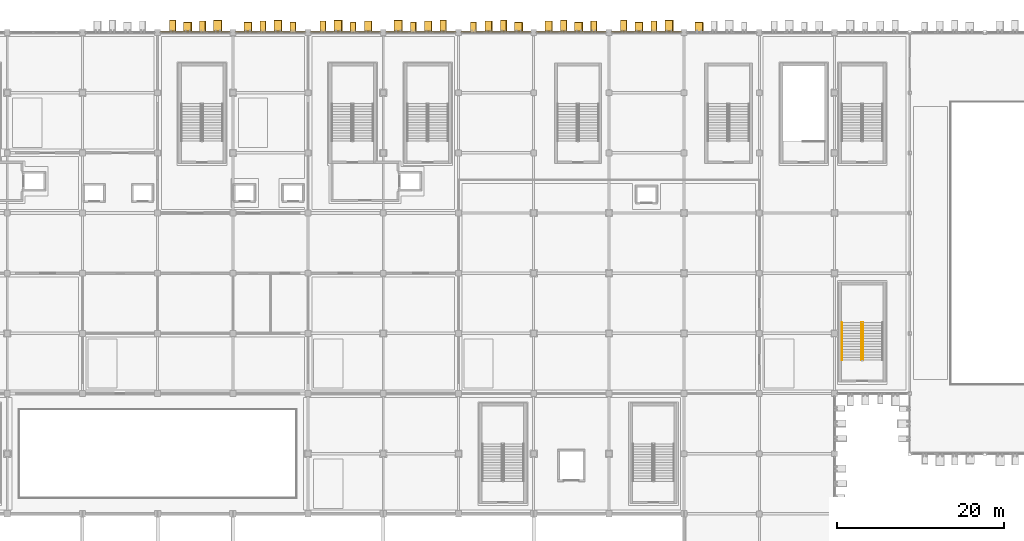
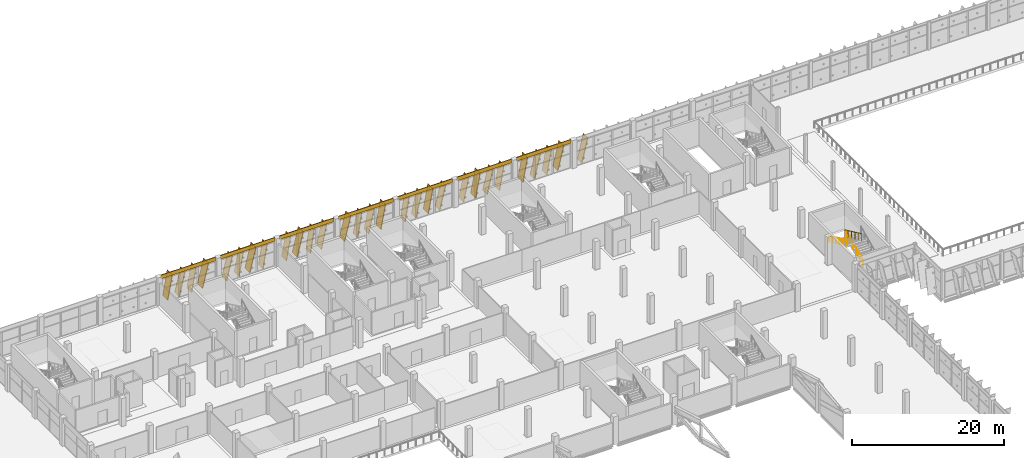
# One storey, part 145 of 151: 36 coverings, 29 shading devices, 3 railings.
"""IFC4 building model written with IfcOpenShell, lengths in metres."""

from ifc_helpers import new_model, si_unit, direction, frame, origin, origin_2d, place, context, subcontext, project, spatial, rectangle, circle, extrude, material, layer, layer_set, material_profile, profile_set, type_object, element, save


model = new_model("IFC4")

# Units and contexts
model_context = context("Model", 3, precision=1e-05, world=origin(), true_north=direction((0.0, 1.0)))
body_context = subcontext(model_context, "Body", "Model", "MODEL_VIEW")
ifc_project = project(units=[si_unit("LENGTHUNIT", "METRE"), si_unit("AREAUNIT", "SQUARE_METRE"), si_unit("VOLUMEUNIT", "CUBIC_METRE"), si_unit("PLANEANGLEUNIT", "RADIAN"), si_unit("MASSUNIT", "GRAM", prefix="KILO")], contexts=[model_context])

# Site, building, storey
site_placement = place(None, origin())
site = spatial("IfcSite", under=ifc_project, at=site_placement, CompositionType="ELEMENT")
building_placement = place(site_placement, origin())
building = spatial("IfcBuilding", under=site, at=building_placement, Name="Celestram Park Convention Centre", CompositionType="ELEMENT")
storey_placement = place(building_placement, frame((0.0, 0.0, 10.800048828125)))
storey = spatial("IfcBuildingStorey", under=building, at=storey_placement, Name="L02", CompositionType="ELEMENT", Elevation=10.800048828125)

# Coverings
ifc_material_1 = material(Name="Anodised Bronze Aluminium Spandrel Cladding", Category="aluminium")
ifc_layer_1 = layer(ifc_material_1, 0.050048828125)
ifc_layer_set_1 = layer_set([ifc_layer_1], Name="Anodised Bronze Aluminium Spandrel Cladding")
covering_type_1 = type_object("IfcCoveringType", Name="ARC-COV-CLD060", PredefinedType="CLADDING", material=ifc_layer_set_1)
for number, where, z_axis, x_axis, name in (
    (1, (67.5, 165.679931640625, 3.9140625), (0.0, 0.0, 1.0), (1.0, 0.0, 0.0), "Bronze spandrel cladding CL-L02-153"),
    (2, (76.5, 165.679931640625, 3.9140625), (0.0, 0.0, 1.0), (1.0, 0.0, 0.0), "Bronze spandrel cladding CL-L02-154"),
    (3, (85.5, 165.679931640625, 3.9140625), (0.0, 0.0, 1.0), (1.0, 0.0, 0.0), "Bronze spandrel cladding CL-L02-155"),
    (4, (94.5, 165.679931640625, 3.9140625), (0.0, 0.0, 1.0), (1.0, 0.0, 0.0), "Bronze spandrel cladding CL-L02-156"),
    (5, (103.5, 165.679931640625, 3.9140625), (0.0, 0.0, 1.0), (1.0, 0.0, 0.0), "Bronze spandrel cladding CL-L02-157"),
    (6, (112.5, 165.679931640625, 3.9140625), (0.0, 0.0, 1.0), (1.0, 0.0, 0.0), "Bronze spandrel cladding CL-L02-158"),
    (7, (121.5, 165.679931640625, 3.9140625), (0.0, 0.0, 1.0), (1.0, 0.0, 0.0), "Bronze spandrel cladding CL-L02-159"),
):
    element("IfcCovering", number, at=place(storey_placement, frame(where, z_axis=z_axis, x_axis=x_axis)), inside=storey, type_object=covering_type_1, Name=name, PredefinedType="CLADDING", context=body_context, shape_type="SweptSolid", body=[
        extrude(rectangle(XDim=8.303955078125, YDim=0.1201171875, at=origin_2d()), origin(), (0.0, 0.0, 1.0), 0.5859375),
    ])
ifc_material_2 = material(Name="Timber-Toned Anodised Aluminium Alloy 6063-T6", Category="wood")
ifc_material_profile_1 = material_profile(ifc_material_2, rectangle(XDim=1.1201171875, YDim=0.090087890625, at=origin_2d()), Name="REED1120X90")
ifc_profile_set_1 = profile_set([ifc_material_profile_1], Name="Timber-Toned Anodised Aluminium Alloy 6063-T6")
covering_type_2 = type_object("IfcCoveringType", Name="ARC-COV-FIN1120", PredefinedType="CLADDING", material=ifc_profile_set_1)
for number, where, z_axis, x_axis, name in (
    (8, (66.14990234375, 166.239990234375, 0.057861328125), (0.231767829396, 0.0, 0.972771130974), (0.0, 1.0, 0.0), "Leaning timber-toned reed fin RFN-L02-0465"),
    (9, (73.349853515625, 166.239990234375, 0.057861328125), (0.231767829396, 0.0, 0.972771130974), (0.0, 1.0, 0.0), "Leaning timber-toned reed fin RFN-L02-0468"),
):
    element("IfcCovering", number, at=place(storey_placement, frame(where, z_axis=z_axis, x_axis=x_axis)), inside=storey, type_object=covering_type_2, Name=name, PredefinedType="CLADDING", context=body_context, shape_type="SweptSolid", body=[
        extrude(rectangle(XDim=1.1201171875, YDim=0.090087890625, at=origin_2d()), origin(), (0.0, 0.0, 1.0), 3.8837890625),
    ])
for number, where, z_axis, x_axis, name in (
    (10, (78.889404296875, 166.239990234375, 0.030029296875), (0.159912242816, 0.0, 0.987131234739), (0.0, 1.0, 0.0), "Leaning timber-toned reed fin RFN-L02-0471"),
    (11, (86.089599609375, 166.239990234375, 0.030029296875), (0.159850990721, 0.0, 0.987141155441), (0.0, 1.0, 0.0), "Leaning timber-toned reed fin RFN-L02-0474"),
    (12, (93.28955078125, 166.239990234375, 0.030029296875), (0.159850990721, 0.0, 0.987141155441), (0.0, 1.0, 0.0), "Leaning timber-toned reed fin RFN-L02-0477"),
    (13, (100.489501953125, 166.239990234375, 0.030029296875), (0.159912242816, 0.0, 0.987131234739), (0.0, 1.0, 0.0), "Leaning timber-toned reed fin RFN-L02-0480"),
):
    element("IfcCovering", number, at=place(storey_placement, frame(where, z_axis=z_axis, x_axis=x_axis)), inside=storey, type_object=covering_type_2, Name=name, PredefinedType="CLADDING", context=body_context, shape_type="SweptSolid", body=[
        extrude(rectangle(XDim=1.1201171875, YDim=0.090087890625, at=origin_2d()), origin(), (0.0, 0.0, 1.0), 3.884033203125),
    ])
for number, where, z_axis, x_axis, name in (
    (14, (105.75, 166.239990234375, 0.057861328125), (0.231767829396, 0.0, 0.972771130974), (0.0, 1.0, 0.0), "Leaning timber-toned reed fin RFN-L02-0483"),
    (15, (112.949951171875, 166.239990234375, 0.057861328125), (0.231767829396, 0.0, 0.972771130974), (0.0, 1.0, 0.0), "Leaning timber-toned reed fin RFN-L02-0486"),
    (16, (120.14990234375, 166.239990234375, 0.057861328125), (0.231767829396, 0.0, 0.972771130974), (0.0, 1.0, 0.0), "Leaning timber-toned reed fin RFN-L02-0489"),
    (17, (127.349853515625, 166.239990234375, 0.057861328125), (0.231767829396, 0.0, 0.972771130974), (0.0, 1.0, 0.0), "Leaning timber-toned reed fin RFN-L02-0492"),
):
    element("IfcCovering", number, at=place(storey_placement, frame(where, z_axis=z_axis, x_axis=x_axis)), inside=storey, type_object=covering_type_2, Name=name, PredefinedType="CLADDING", context=body_context, shape_type="SweptSolid", body=[
        extrude(rectangle(XDim=1.1201171875, YDim=0.090087890625, at=origin_2d()), origin(), (0.0, 0.0, 1.0), 3.8837890625),
    ])
ifc_material_profile_2 = material_profile(ifc_material_2, rectangle(XDim=1.280029296875, YDim=0.090087890625, at=origin_2d()), Name="REED1280X90")
ifc_profile_set_2 = profile_set([ifc_material_profile_2], Name="Timber-Toned Anodised Aluminium Alloy 6063-T6")
covering_type_3 = type_object("IfcCoveringType", Name="ARC-COV-FIN1280", PredefinedType="CLADDING", material=ifc_profile_set_2)
for number, where, z_axis, x_axis, name in (
    (18, (68.069580078125, 166.320068359375, 0.033203125), (0.170155292653, 0.0, 0.985417260039), (0.0, 1.0, 0.0), "Leaning timber-toned reed fin RFN-L02-0466"),
    (19, (75.26953125, 166.320068359375, 0.033203125), (0.170155292653, 0.0, 0.985417260039), (0.0, 1.0, 0.0), "Leaning timber-toned reed fin RFN-L02-0469"),
    (20, (82.469482421875, 166.320068359375, 0.033203125), (0.170216329286, 0.0, 0.985406718693), (0.0, 1.0, 0.0), "Leaning timber-toned reed fin RFN-L02-0472"),
    (21, (87.79296875, 166.320068359375, 0.048095703125), (0.209623524504, 0.0, 0.97778217307), (0.0, 1.0, 0.0), "Leaning timber-toned reed fin RFN-L02-0475"),
    (22, (94.992919921875, 166.320068359375, 0.048095703125), (0.209623524504, 0.0, 0.97778217307), (0.0, 1.0, 0.0), "Leaning timber-toned reed fin RFN-L02-0478"),
    (23, (102.19287109375, 166.320068359375, 0.048095703125), (0.209623524504, 0.0, 0.97778217307), (0.0, 1.0, 0.0), "Leaning timber-toned reed fin RFN-L02-0481"),
    (24, (109.392822265625, 166.320068359375, 0.048095703125), (0.209623524504, 0.0, 0.97778217307), (0.0, 1.0, 0.0), "Leaning timber-toned reed fin RFN-L02-0484"),
    (25, (114.869384765625, 166.320068359375, 0.033203125), (0.170216329286, 0.0, 0.985406718693), (0.0, 1.0, 0.0), "Leaning timber-toned reed fin RFN-L02-0487"),
    (26, (122.069580078125, 166.320068359375, 0.033203125), (0.170155292653, 0.0, 0.985417260039), (0.0, 1.0, 0.0), "Leaning timber-toned reed fin RFN-L02-0490"),
):
    element("IfcCovering", number, at=place(storey_placement, frame(where, z_axis=z_axis, x_axis=x_axis)), inside=storey, type_object=covering_type_3, Name=name, PredefinedType="CLADDING", context=body_context, shape_type="SweptSolid", body=[
        extrude(rectangle(XDim=1.280029296875, YDim=0.090087890625, at=origin_2d()), origin(), (0.0, 0.0, 1.0), 3.884033203125),
    ])
ifc_material_profile_3 = material_profile(ifc_material_2, rectangle(XDim=1.419921875, YDim=0.090087890625, at=origin_2d()), Name="REED1420X90")
ifc_profile_set_3 = profile_set([ifc_material_profile_3], Name="Timber-Toned Anodised Aluminium Alloy 6063-T6")
covering_type_4 = type_object("IfcCoveringType", Name="ARC-COV-FIN1420", PredefinedType="CLADDING", material=ifc_profile_set_3)
for number, where, z_axis, x_axis, name in (
    (27, (64.449462890625, 166.389892578125, 0.036865234375), (0.180533625065, 0.0, 0.98356881316), (0.0, 1.0, 0.0), "Leaning timber-toned reed fin RFN-L02-0464"),
    (28, (69.73681640625, 166.389892578125, 0.06103515625), (0.238495612815, 0.0, 0.971143574693), (0.0, 1.0, 0.0), "Leaning timber-toned reed fin RFN-L02-0467"),
    (29, (76.936767578125, 166.389892578125, 0.06103515625), (0.238554897182, 0.0, 0.971129013587), (0.0, 1.0, 0.0), "Leaning timber-toned reed fin RFN-L02-0470"),
    (30, (84.13671875, 166.389892578125, 0.06103515625), (0.238554897182, 0.0, 0.971129013587), (0.0, 1.0, 0.0), "Leaning timber-toned reed fin RFN-L02-0473"),
    (31, (91.3369140625, 166.389892578125, 0.06103515625), (0.238495612815, 0.0, 0.971143574693), (0.0, 1.0, 0.0), "Leaning timber-toned reed fin RFN-L02-0476"),
    (32, (96.849365234375, 166.389892578125, 0.036865234375), (0.180533625065, 0.0, 0.98356881316), (0.0, 1.0, 0.0), "Leaning timber-toned reed fin RFN-L02-0479"),
    (33, (104.04931640625, 166.389892578125, 0.036865234375), (0.180533625065, 0.0, 0.98356881316), (0.0, 1.0, 0.0), "Leaning timber-toned reed fin RFN-L02-0482"),
    (34, (111.24951171875, 166.389892578125, 0.036865234375), (0.180533625065, 0.0, 0.98356881316), (0.0, 1.0, 0.0), "Leaning timber-toned reed fin RFN-L02-0485"),
    (35, (118.449462890625, 166.389892578125, 0.036865234375), (0.180533625065, 0.0, 0.98356881316), (0.0, 1.0, 0.0), "Leaning timber-toned reed fin RFN-L02-0488"),
    (36, (123.73681640625, 166.389892578125, 0.06103515625), (0.238495612815, 0.0, 0.971143574693), (0.0, 1.0, 0.0), "Leaning timber-toned reed fin RFN-L02-0491"),
):
    element("IfcCovering", number, at=place(storey_placement, frame(where, z_axis=z_axis, x_axis=x_axis)), inside=storey, type_object=covering_type_4, Name=name, PredefinedType="CLADDING", context=body_context, shape_type="SweptSolid", body=[
        extrude(rectangle(XDim=1.419921875, YDim=0.090087890625, at=origin_2d()), origin(), (0.0, 0.0, 1.0), 3.8837890625),
    ])

# Shading devices
ifc_material_3 = material(Name="Anodised Bronze Aluminium Alloy 6063-T6", Category="aluminium")
ifc_material_profile_4 = material_profile(ifc_material_3, rectangle(XDim=1.280029296875, YDim=0.080078125, at=origin_2d()), Name="FIN1280X80")
ifc_profile_set_4 = profile_set([ifc_material_profile_4], Name="Anodised Bronze Aluminium Alloy 6063-T6")
shading_device_type = type_object("IfcShadingDeviceType", Name="ARC-FIN-BZ1280", PredefinedType="USERDEFINED", material=ifc_profile_set_4)
for number, where, z_axis, x_axis, name in (
    (37, (64.449462890625, 166.389892578125, 0.036865234375), (0.180533625065, 0.0, 0.98356881316), (0.0, 1.0, 0.0), "Expressive solar fin FN-L02-0464"),
    (38, (66.14990234375, 166.239990234375, 0.057861328125), (0.231767829396, 0.0, 0.972771130974), (0.0, 1.0, 0.0), "Expressive solar fin FN-L02-0465"),
):
    element("IfcShadingDevice", number, at=place(storey_placement, frame(where, z_axis=z_axis, x_axis=x_axis)), inside=storey, type_object=shading_device_type, Name=name, ObjectType="SOLAR_FIN", PredefinedType="USERDEFINED", context=body_context, shape_type="SweptSolid", body=[
        extrude(rectangle(XDim=1.280029296875, YDim=0.080078125, at=origin_2d()), origin(), (0.0, 0.0, 1.0), 3.8837890625),
    ])
shading_device_1_placement = place(storey_placement, frame((68.069580078125, 166.320068359375, 0.033203125), z_axis=(0.170155292653, 0.0, 0.985417260039), x_axis=(0.0, 1.0, 0.0)))
element("IfcShadingDevice", 39, at=shading_device_1_placement, inside=storey, type_object=shading_device_type, Name="Expressive solar fin FN-L02-0466", ObjectType="SOLAR_FIN", PredefinedType="USERDEFINED", context=body_context, shape_type="SweptSolid", body=[
    extrude(rectangle(XDim=1.280029296875, YDim=0.080078125, at=origin_2d()), origin(), (0.0, 0.0, 1.0), 3.884033203125),
])
for number, where, z_axis, x_axis, name in (
    (40, (69.73681640625, 166.389892578125, 0.06103515625), (0.238495612815, 0.0, 0.971143574693), (0.0, 1.0, 0.0), "Expressive solar fin FN-L02-0467"),
    (41, (73.349853515625, 166.239990234375, 0.057861328125), (0.231767829396, 0.0, 0.972771130974), (0.0, 1.0, 0.0), "Expressive solar fin FN-L02-0468"),
):
    element("IfcShadingDevice", number, at=place(storey_placement, frame(where, z_axis=z_axis, x_axis=x_axis)), inside=storey, type_object=shading_device_type, Name=name, ObjectType="SOLAR_FIN", PredefinedType="USERDEFINED", context=body_context, shape_type="SweptSolid", body=[
        extrude(rectangle(XDim=1.280029296875, YDim=0.080078125, at=origin_2d()), origin(), (0.0, 0.0, 1.0), 3.8837890625),
    ])
shading_device_2_placement = place(storey_placement, frame((75.26953125, 166.320068359375, 0.033203125), z_axis=(0.170155292653, 0.0, 0.985417260039), x_axis=(0.0, 1.0, 0.0)))
element("IfcShadingDevice", 42, at=shading_device_2_placement, inside=storey, type_object=shading_device_type, Name="Expressive solar fin FN-L02-0469", ObjectType="SOLAR_FIN", PredefinedType="USERDEFINED", context=body_context, shape_type="SweptSolid", body=[
    extrude(rectangle(XDim=1.280029296875, YDim=0.080078125, at=origin_2d()), origin(), (0.0, 0.0, 1.0), 3.884033203125),
])
shading_device_3_placement = place(storey_placement, frame((76.936767578125, 166.389892578125, 0.06103515625), z_axis=(0.238554897182, 0.0, 0.971129013587), x_axis=(0.0, 1.0, 0.0)))
element("IfcShadingDevice", 43, at=shading_device_3_placement, inside=storey, type_object=shading_device_type, Name="Expressive solar fin FN-L02-0470", ObjectType="SOLAR_FIN", PredefinedType="USERDEFINED", context=body_context, shape_type="SweptSolid", body=[
    extrude(rectangle(XDim=1.280029296875, YDim=0.080078125, at=origin_2d()), origin(), (0.0, 0.0, 1.0), 3.8837890625),
])
for number, where, z_axis, x_axis, name in (
    (44, (78.889404296875, 166.239990234375, 0.030029296875), (0.159912242816, 0.0, 0.987131234739), (0.0, 1.0, 0.0), "Expressive solar fin FN-L02-0471"),
    (45, (82.469482421875, 166.320068359375, 0.033203125), (0.170216329286, 0.0, 0.985406718693), (0.0, 1.0, 0.0), "Expressive solar fin FN-L02-0472"),
):
    element("IfcShadingDevice", number, at=place(storey_placement, frame(where, z_axis=z_axis, x_axis=x_axis)), inside=storey, type_object=shading_device_type, Name=name, ObjectType="SOLAR_FIN", PredefinedType="USERDEFINED", context=body_context, shape_type="SweptSolid", body=[
        extrude(rectangle(XDim=1.280029296875, YDim=0.080078125, at=origin_2d()), origin(), (0.0, 0.0, 1.0), 3.884033203125),
    ])
shading_device_4_placement = place(storey_placement, frame((84.13671875, 166.389892578125, 0.06103515625), z_axis=(0.238554897182, 0.0, 0.971129013587), x_axis=(0.0, 1.0, 0.0)))
element("IfcShadingDevice", 46, at=shading_device_4_placement, inside=storey, type_object=shading_device_type, Name="Expressive solar fin FN-L02-0473", ObjectType="SOLAR_FIN", PredefinedType="USERDEFINED", context=body_context, shape_type="SweptSolid", body=[
    extrude(rectangle(XDim=1.280029296875, YDim=0.080078125, at=origin_2d()), origin(), (0.0, 0.0, 1.0), 3.8837890625),
])
for number, where, z_axis, x_axis, name in (
    (47, (86.089599609375, 166.239990234375, 0.030029296875), (0.159850990721, 0.0, 0.987141155441), (0.0, 1.0, 0.0), "Expressive solar fin FN-L02-0474"),
    (48, (87.79296875, 166.320068359375, 0.048095703125), (0.209623524504, 0.0, 0.97778217307), (0.0, 1.0, 0.0), "Expressive solar fin FN-L02-0475"),
):
    element("IfcShadingDevice", number, at=place(storey_placement, frame(where, z_axis=z_axis, x_axis=x_axis)), inside=storey, type_object=shading_device_type, Name=name, ObjectType="SOLAR_FIN", PredefinedType="USERDEFINED", context=body_context, shape_type="SweptSolid", body=[
        extrude(rectangle(XDim=1.280029296875, YDim=0.080078125, at=origin_2d()), origin(), (0.0, 0.0, 1.0), 3.884033203125),
    ])
shading_device_5_placement = place(storey_placement, frame((91.3369140625, 166.389892578125, 0.06103515625), z_axis=(0.238495612815, 0.0, 0.971143574693), x_axis=(0.0, 1.0, 0.0)))
element("IfcShadingDevice", 49, at=shading_device_5_placement, inside=storey, type_object=shading_device_type, Name="Expressive solar fin FN-L02-0476", ObjectType="SOLAR_FIN", PredefinedType="USERDEFINED", context=body_context, shape_type="SweptSolid", body=[
    extrude(rectangle(XDim=1.280029296875, YDim=0.080078125, at=origin_2d()), origin(), (0.0, 0.0, 1.0), 3.8837890625),
])
for number, where, z_axis, x_axis, name in (
    (50, (93.28955078125, 166.239990234375, 0.030029296875), (0.159850990721, 0.0, 0.987141155441), (0.0, 1.0, 0.0), "Expressive solar fin FN-L02-0477"),
    (51, (94.992919921875, 166.320068359375, 0.048095703125), (0.209623524504, 0.0, 0.97778217307), (0.0, 1.0, 0.0), "Expressive solar fin FN-L02-0478"),
):
    element("IfcShadingDevice", number, at=place(storey_placement, frame(where, z_axis=z_axis, x_axis=x_axis)), inside=storey, type_object=shading_device_type, Name=name, ObjectType="SOLAR_FIN", PredefinedType="USERDEFINED", context=body_context, shape_type="SweptSolid", body=[
        extrude(rectangle(XDim=1.280029296875, YDim=0.080078125, at=origin_2d()), origin(), (0.0, 0.0, 1.0), 3.884033203125),
    ])
shading_device_6_placement = place(storey_placement, frame((96.849365234375, 166.389892578125, 0.036865234375), z_axis=(0.180533625065, 0.0, 0.98356881316), x_axis=(0.0, 1.0, 0.0)))
element("IfcShadingDevice", 52, at=shading_device_6_placement, inside=storey, type_object=shading_device_type, Name="Expressive solar fin FN-L02-0479", ObjectType="SOLAR_FIN", PredefinedType="USERDEFINED", context=body_context, shape_type="SweptSolid", body=[
    extrude(rectangle(XDim=1.280029296875, YDim=0.080078125, at=origin_2d()), origin(), (0.0, 0.0, 1.0), 3.8837890625),
])
for number, where, z_axis, x_axis, name in (
    (53, (100.489501953125, 166.239990234375, 0.030029296875), (0.159912242816, 0.0, 0.987131234739), (0.0, 1.0, 0.0), "Expressive solar fin FN-L02-0480"),
    (54, (102.19287109375, 166.320068359375, 0.048095703125), (0.209623524504, 0.0, 0.97778217307), (0.0, 1.0, 0.0), "Expressive solar fin FN-L02-0481"),
):
    element("IfcShadingDevice", number, at=place(storey_placement, frame(where, z_axis=z_axis, x_axis=x_axis)), inside=storey, type_object=shading_device_type, Name=name, ObjectType="SOLAR_FIN", PredefinedType="USERDEFINED", context=body_context, shape_type="SweptSolid", body=[
        extrude(rectangle(XDim=1.280029296875, YDim=0.080078125, at=origin_2d()), origin(), (0.0, 0.0, 1.0), 3.884033203125),
    ])
for number, where, z_axis, x_axis, name in (
    (55, (104.04931640625, 166.389892578125, 0.036865234375), (0.180533625065, 0.0, 0.98356881316), (0.0, 1.0, 0.0), "Expressive solar fin FN-L02-0482"),
    (56, (105.75, 166.239990234375, 0.057861328125), (0.231767829396, 0.0, 0.972771130974), (0.0, 1.0, 0.0), "Expressive solar fin FN-L02-0483"),
):
    element("IfcShadingDevice", number, at=place(storey_placement, frame(where, z_axis=z_axis, x_axis=x_axis)), inside=storey, type_object=shading_device_type, Name=name, ObjectType="SOLAR_FIN", PredefinedType="USERDEFINED", context=body_context, shape_type="SweptSolid", body=[
        extrude(rectangle(XDim=1.280029296875, YDim=0.080078125, at=origin_2d()), origin(), (0.0, 0.0, 1.0), 3.8837890625),
    ])
shading_device_7_placement = place(storey_placement, frame((109.392822265625, 166.320068359375, 0.048095703125), z_axis=(0.209623524504, 0.0, 0.97778217307), x_axis=(0.0, 1.0, 0.0)))
element("IfcShadingDevice", 57, at=shading_device_7_placement, inside=storey, type_object=shading_device_type, Name="Expressive solar fin FN-L02-0484", ObjectType="SOLAR_FIN", PredefinedType="USERDEFINED", context=body_context, shape_type="SweptSolid", body=[
    extrude(rectangle(XDim=1.280029296875, YDim=0.080078125, at=origin_2d()), origin(), (0.0, 0.0, 1.0), 3.884033203125),
])
for number, where, z_axis, x_axis, name in (
    (58, (111.24951171875, 166.389892578125, 0.036865234375), (0.180533625065, 0.0, 0.98356881316), (0.0, 1.0, 0.0), "Expressive solar fin FN-L02-0485"),
    (59, (112.949951171875, 166.239990234375, 0.057861328125), (0.231767829396, 0.0, 0.972771130974), (0.0, 1.0, 0.0), "Expressive solar fin FN-L02-0486"),
):
    element("IfcShadingDevice", number, at=place(storey_placement, frame(where, z_axis=z_axis, x_axis=x_axis)), inside=storey, type_object=shading_device_type, Name=name, ObjectType="SOLAR_FIN", PredefinedType="USERDEFINED", context=body_context, shape_type="SweptSolid", body=[
        extrude(rectangle(XDim=1.280029296875, YDim=0.080078125, at=origin_2d()), origin(), (0.0, 0.0, 1.0), 3.8837890625),
    ])
shading_device_8_placement = place(storey_placement, frame((114.869384765625, 166.320068359375, 0.033203125), z_axis=(0.170216329286, 0.0, 0.985406718693), x_axis=(0.0, 1.0, 0.0)))
element("IfcShadingDevice", 60, at=shading_device_8_placement, inside=storey, type_object=shading_device_type, Name="Expressive solar fin FN-L02-0487", ObjectType="SOLAR_FIN", PredefinedType="USERDEFINED", context=body_context, shape_type="SweptSolid", body=[
    extrude(rectangle(XDim=1.280029296875, YDim=0.080078125, at=origin_2d()), origin(), (0.0, 0.0, 1.0), 3.884033203125),
])
for number, where, z_axis, x_axis, name in (
    (61, (118.449462890625, 166.389892578125, 0.036865234375), (0.180533625065, 0.0, 0.98356881316), (0.0, 1.0, 0.0), "Expressive solar fin FN-L02-0488"),
    (62, (120.14990234375, 166.239990234375, 0.057861328125), (0.231767829396, 0.0, 0.972771130974), (0.0, 1.0, 0.0), "Expressive solar fin FN-L02-0489"),
):
    element("IfcShadingDevice", number, at=place(storey_placement, frame(where, z_axis=z_axis, x_axis=x_axis)), inside=storey, type_object=shading_device_type, Name=name, ObjectType="SOLAR_FIN", PredefinedType="USERDEFINED", context=body_context, shape_type="SweptSolid", body=[
        extrude(rectangle(XDim=1.280029296875, YDim=0.080078125, at=origin_2d()), origin(), (0.0, 0.0, 1.0), 3.8837890625),
    ])
shading_device_9_placement = place(storey_placement, frame((122.069580078125, 166.320068359375, 0.033203125), z_axis=(0.170155292653, 0.0, 0.985417260039), x_axis=(0.0, 1.0, 0.0)))
element("IfcShadingDevice", 63, at=shading_device_9_placement, inside=storey, type_object=shading_device_type, Name="Expressive solar fin FN-L02-0490", ObjectType="SOLAR_FIN", PredefinedType="USERDEFINED", context=body_context, shape_type="SweptSolid", body=[
    extrude(rectangle(XDim=1.280029296875, YDim=0.080078125, at=origin_2d()), origin(), (0.0, 0.0, 1.0), 3.884033203125),
])
for number, where, z_axis, x_axis, name in (
    (64, (123.73681640625, 166.389892578125, 0.06103515625), (0.238495612815, 0.0, 0.971143574693), (0.0, 1.0, 0.0), "Expressive solar fin FN-L02-0491"),
    (65, (127.349853515625, 166.239990234375, 0.057861328125), (0.231767829396, 0.0, 0.972771130974), (0.0, 1.0, 0.0), "Expressive solar fin FN-L02-0492"),
):
    element("IfcShadingDevice", number, at=place(storey_placement, frame(where, z_axis=z_axis, x_axis=x_axis)), inside=storey, type_object=shading_device_type, Name=name, ObjectType="SOLAR_FIN", PredefinedType="USERDEFINED", context=body_context, shape_type="SweptSolid", body=[
        extrude(rectangle(XDim=1.280029296875, YDim=0.080078125, at=origin_2d()), origin(), (0.0, 0.0, 1.0), 3.8837890625),
    ])

# Railings
ifc_material_4 = material(Name="Stainless Steel AISI 316L & Laminated Glass", Category="steel")
ifc_layer_2 = layer(ifc_material_4, 0.06005859375)
ifc_layer_set_2 = layer_set([ifc_layer_2], Name="Stainless Steel AISI 316L & Laminated Glass")
railing_type_1 = type_object("IfcRailingType", Name="ARC-RL-GRD1120", PredefinedType="GUARDRAIL", material=ifc_layer_set_2)
railing_1_placement = place(storey_placement, frame((147.43603515625, 126.39990234375, 0.14990234375)))
element("IfcRailing", 66, at=railing_1_placement, inside=storey, type_object=railing_type_1, Name="L02 ST-10 stair guard 1", PredefinedType="GUARDRAIL", context=body_context, shape_type="SweptSolid", body=[
    extrude(circle(Radius=0.02392578125, at=origin_2d()), frame((0.0, 0.0, 1.09619140625), z_axis=(0.0, 0.905450639465, 0.424451574969), x_axis=(-1.0, 0.0, 0.0)), (0.0, 0.0, 1.0), 4.94775390625),
    extrude(circle(Radius=0.02099609375, at=origin_2d()), origin(), (0.0, 0.0, 1.0), 1.072021484375),
    extrude(circle(Radius=0.02099609375, at=origin_2d()), frame((0.0, 0.89599609375, 0.419921875)), (0.0, 0.0, 1.0), 1.072021484375),
    extrude(circle(Radius=0.02099609375, at=origin_2d()), frame((0.0, 1.7919921875, 0.840087890625)), (0.0, 0.0, 1.0), 1.072021484375),
    extrude(circle(Radius=0.02099609375, at=origin_2d()), frame((0.0, 2.68798828125, 1.260009765625)), (0.0, 0.0, 1.0), 1.072021484375),
    extrude(circle(Radius=0.02099609375, at=origin_2d()), frame((0.0, 3.583984375, 1.68017578125)), (0.0, 0.0, 1.0), 1.072021484375),
    extrude(circle(Radius=0.02099609375, at=origin_2d()), frame((0.0, 4.47998046875, 2.10009765625)), (0.0, 0.0, 1.0), 1.072021484375),
])
railing_2_placement = place(storey_placement, frame((147.2041015625, 130.8798828125, 2.39990234375)))
element("IfcRailing", 67, at=railing_2_placement, inside=storey, type_object=railing_type_1, Name="L02 ST-10 stair guard 3", PredefinedType="GUARDRAIL", context=body_context, shape_type="SweptSolid", body=[
    extrude(circle(Radius=0.02392578125, at=origin_2d()), frame((0.0, 0.0, 1.09619140625), z_axis=(0.0, -0.905450639465, 0.424451574969), x_axis=(1.0, 0.0, 0.0)), (0.0, 0.0, 1.0), 4.94775390625),
    extrude(circle(Radius=0.02099609375, at=origin_2d()), origin(), (0.0, 0.0, 1.0), 1.072021484375),
    extrude(circle(Radius=0.02099609375, at=origin_2d()), frame((0.0, -0.89599609375, 0.419921875)), (0.0, 0.0, 1.0), 1.072021484375),
    extrude(circle(Radius=0.02099609375, at=origin_2d()), frame((0.0, -1.7919921875, 0.840087890625)), (0.0, 0.0, 1.0), 1.072021484375),
    extrude(circle(Radius=0.02099609375, at=origin_2d()), frame((0.0, -2.68798828125, 1.260009765625)), (0.0, 0.0, 1.0), 1.072021484375),
    extrude(circle(Radius=0.02099609375, at=origin_2d()), frame((0.0, -3.583984375, 1.68017578125)), (0.0, 0.0, 1.0), 1.072021484375),
    extrude(circle(Radius=0.02099609375, at=origin_2d()), frame((0.0, -4.47998046875, 2.10009765625)), (0.0, 0.0, 1.0), 1.072021484375),
])
ifc_material_5 = material(Name="Brushed Stainless Steel AISI 304", Category="steel")
ifc_layer_3 = layer(ifc_material_5, 0.048095703125)
ifc_layer_set_3 = layer_set([ifc_layer_3], Name="Brushed Stainless Steel AISI 304")
railing_type_2 = type_object("IfcRailingType", Name="ARC-RL-HND915", PredefinedType="HANDRAIL", material=ifc_layer_set_3)
railing_3_placement = place(storey_placement, frame((144.8759765625, 130.8798828125, 2.39990234375)))
element("IfcRailing", 68, at=railing_3_placement, inside=storey, type_object=railing_type_2, Name="L02 ST-10 stair handrail 2", PredefinedType="HANDRAIL", context=body_context, shape_type="SweptSolid", body=[
    extrude(circle(Radius=0.02392578125, at=origin_2d()), frame((0.0, 0.0, 0.8759765625), z_axis=(0.0, -0.905450639465, 0.424451574969), x_axis=(1.0, 0.0, 0.0)), (0.0, 0.0, 1.0), 4.94775390625),
    extrude(circle(Radius=0.02099609375, at=origin_2d()), origin(), (0.0, 0.0, 1.0), 0.851806640625),
    extrude(circle(Radius=0.02099609375, at=origin_2d()), frame((0.0, -0.89599609375, 0.419921875)), (0.0, 0.0, 1.0), 0.851806640625),
    extrude(circle(Radius=0.02099609375, at=origin_2d()), frame((0.0, -1.7919921875, 0.840087890625)), (0.0, 0.0, 1.0), 0.851806640625),
    extrude(circle(Radius=0.02099609375, at=origin_2d()), frame((0.0, -2.68798828125, 1.260009765625)), (0.0, 0.0, 1.0), 0.851806640625),
    extrude(circle(Radius=0.02099609375, at=origin_2d()), frame((0.0, -3.583984375, 1.68017578125)), (0.0, 0.0, 1.0), 0.851806640625),
    extrude(circle(Radius=0.02099609375, at=origin_2d()), frame((0.0, -4.47998046875, 2.10009765625)), (0.0, 0.0, 1.0), 0.851806640625),
])

save(model, "model.ifc")
